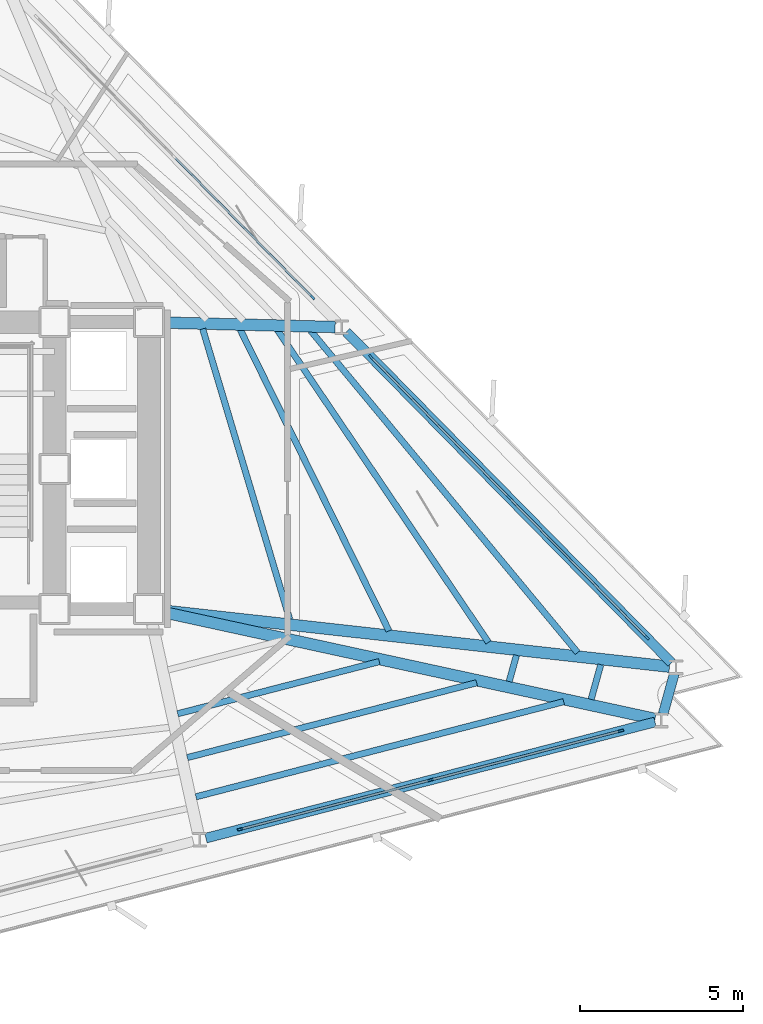
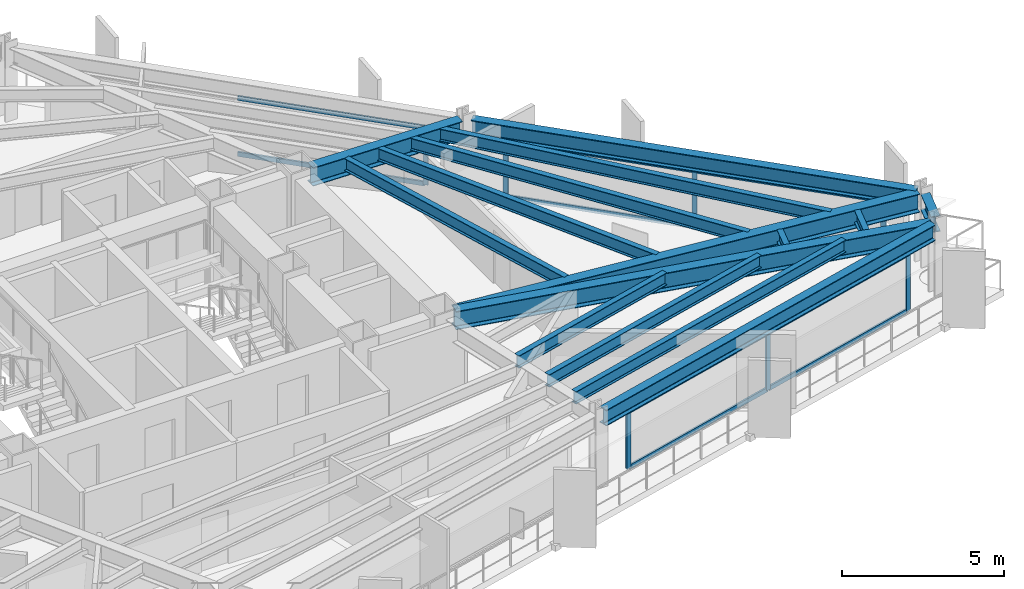
# One storey, part 4 of 11: 17 members, 15 beams, 3 elements without a shape of their own.
"""IFC4 building model written with IfcOpenShell, lengths in metres."""

from ifc_helpers import new_model, si_unit, direction, frame, origin, origin_2d, place, context, subcontext, project, spatial, rectangle, i_section, extrude, material, layer, layer_set, material_profile, profile_set, type_object, element, aggregate, save


model = new_model("IFC4")

# Units and contexts
model_context = context("Model", 3, precision=1e-05, world=origin(), true_north=direction((0.0, 1.0)))
body_context = subcontext(model_context, "Body", "Model", "MODEL_VIEW")
ifc_project = project(units=[si_unit("LENGTHUNIT", "METRE"), si_unit("AREAUNIT", "SQUARE_METRE"), si_unit("VOLUMEUNIT", "CUBIC_METRE"), si_unit("PLANEANGLEUNIT", "RADIAN"), si_unit("MASSUNIT", "GRAM", prefix="KILO")], contexts=[model_context])

# Site, building, storey
site_placement = place(None, origin())
site = spatial("IfcSite", under=ifc_project, at=site_placement, CompositionType="ELEMENT")
building_placement = place(site_placement, origin())
building = spatial("IfcBuilding", under=site, at=building_placement, Name="Rocaltana Carrier Exchange", CompositionType="ELEMENT")
storey_placement = place(building_placement, frame((0.0, 0.0, 79.52001953125)))
storey = spatial("IfcBuildingStorey", under=building, at=storey_placement, Name="L24", CompositionType="ELEMENT", Elevation=79.52001953125)

# Curtain wall, members
ifc_material_1 = material(Name="Aluminium 6063-T6", Category="aluminium")
ifc_layer = layer(ifc_material_1, 0.1650390625)
ifc_layer_set = layer_set([ifc_layer], Name="Aluminium 6063-T6")
curtain_wall_type = type_object("IfcCurtainWallType", Name="Lower-Mid Stepped Curtain Wall CW-02", PredefinedType="NOTDEFINED", material=ifc_layer_set)
curtain_wall_1_placement = place(storey_placement, origin())
curtain_wall_1 = element("IfcCurtainWall", 1, at=curtain_wall_1_placement, inside=storey, type_object=curtain_wall_type, Name="L24 CW-02 Run CW-L24-F1S1", PredefinedType="NOTDEFINED")
ifc_material_2 = material(Name="Aluminium 6063-T6", Category="aluminium")
ifc_material_profile_1 = material_profile(ifc_material_2, rectangle(XDim=0.06494140625, YDim=0.1650390625, at=origin_2d()), Name="AL-65X165")
ifc_profile_set_1 = profile_set([ifc_material_profile_1], Name="Aluminium 6063-T6")
member_type_1 = type_object("IfcMemberType", Name="CW-02 Mullion AL-65X165", PredefinedType="MULLION", material=ifc_profile_set_1)
member_1_placement = place(storey_placement, frame((24.21875, -5.1767578125, 0.0), z_axis=(0.0, 0.0, 1.0), x_axis=(-0.713244767898, -0.700915045542, 0.0)))
member_1 = element("IfcMember", 2, at=member_1_placement, type_object=member_type_1, Name="CW-02 mullion 1", PredefinedType="MULLION", context=body_context, shape_type="SweptSolid", body=[
    extrude(rectangle(XDim=0.06494140625, YDim=0.1650390625, at=origin_2d()), origin(), (0.0, 0.0, 1.0), 2.16796875),
])
member_2_placement = place(storey_placement, frame((19.989501953125, -0.872802734375, 0.0), z_axis=(0.0, 0.0, 1.0), x_axis=(-0.713244767898, -0.700915045542, 0.0)))
member_2 = element("IfcMember", 3, at=member_2_placement, type_object=member_type_1, Name="CW-02 mullion 2", PredefinedType="MULLION", context=body_context, shape_type="SweptSolid", body=[
    extrude(rectangle(XDim=0.06494140625, YDim=0.1650390625, at=origin_2d()), origin(), (0.0, 0.0, 1.0), 2.16796875),
])
member_3_placement = place(storey_placement, frame((15.760009765625, 3.430908203125, 0.0), z_axis=(0.0, 0.0, 1.0), x_axis=(-0.713244767898, -0.700915045542, 0.0)))
member_3 = element("IfcMember", 4, at=member_3_placement, type_object=member_type_1, Name="CW-02 mullion 3", PredefinedType="MULLION", context=body_context, shape_type="SweptSolid", body=[
    extrude(rectangle(XDim=0.06494140625, YDim=0.1650390625, at=origin_2d()), origin(), (0.0, 0.0, 1.0), 2.16796875),
])

# Curtain wall, member
curtain_wall_2_placement = place(storey_placement, origin())
curtain_wall_2 = element("IfcCurtainWall", 5, at=curtain_wall_2_placement, inside=storey, type_object=curtain_wall_type, Name="L24 CW-02 Run CW-L24-F1S2", PredefinedType="NOTDEFINED")
member_4_placement = place(storey_placement, frame((13.962158203125, 5.260498046875, 0.0), z_axis=(0.0, 0.0, 1.0), x_axis=(-0.713244696676, -0.700915118017, 0.0)))
member_4 = element("IfcMember", 6, at=member_4_placement, type_object=member_type_1, Name="CW-02 mullion 1", PredefinedType="MULLION", context=body_context, shape_type="SweptSolid", body=[
    extrude(rectangle(XDim=0.06494140625, YDim=0.1650390625, at=origin_2d()), origin(), (0.0, 0.0, 1.0), 2.16796875),
])

# Curtain wall, members
curtain_wall_3_placement = place(storey_placement, origin())
curtain_wall_3 = element("IfcCurtainWall", 7, at=curtain_wall_3_placement, inside=storey, type_object=curtain_wall_type, Name="L24 CW-02 Run CW-L24-F3S3", PredefinedType="NOTDEFINED")
member_5_placement = place(storey_placement, frame((11.741943359375, -11.057861328125, 0.0), z_axis=(0.0, 0.0, 1.0), x_axis=(-0.250370035526, 0.96815021836, 0.0)))
member_5 = element("IfcMember", 8, at=member_5_placement, type_object=member_type_1, Name="CW-02 mullion 1", PredefinedType="MULLION", context=body_context, shape_type="SweptSolid", body=[
    extrude(rectangle(XDim=0.06494140625, YDim=0.1650390625, at=origin_2d()), origin(), (0.0, 0.0, 1.0), 2.16796875),
])
member_6_placement = place(storey_placement, frame((17.583740234375, -9.547119140625, 0.0), z_axis=(0.0, 0.0, 1.0), x_axis=(-0.250370035526, 0.96815021836, 0.0)))
member_6 = element("IfcMember", 9, at=member_6_placement, type_object=member_type_1, Name="CW-02 mullion 2", PredefinedType="MULLION", context=body_context, shape_type="SweptSolid", body=[
    extrude(rectangle(XDim=0.06494140625, YDim=0.1650390625, at=origin_2d()), origin(), (0.0, 0.0, 1.0), 2.16796875),
])
member_7_placement = place(storey_placement, frame((23.42578125, -8.036376953125, 0.0), z_axis=(0.0, 0.0, 1.0), x_axis=(-0.250370035526, 0.96815021836, 0.0)))
member_7 = element("IfcMember", 10, at=member_7_placement, type_object=member_type_1, Name="CW-02 mullion 3", PredefinedType="MULLION", context=body_context, shape_type="SweptSolid", body=[
    extrude(rectangle(XDim=0.06494140625, YDim=0.1650390625, at=origin_2d()), origin(), (0.0, 0.0, 1.0), 2.16796875),
])

# Member
ifc_material_3 = material(Name="Aluminium 6063-T6", Category="aluminium")
ifc_material_profile_2 = material_profile(ifc_material_3, rectangle(XDim=0.06494140625, YDim=0.1650390625, at=origin_2d()), Name="AL-65X165")
ifc_profile_set_2 = profile_set([ifc_material_profile_2], Name="Aluminium 6063-T6")
member_type_2 = type_object("IfcMemberType", Name="CW-02 Transom AL-65X165", PredefinedType="USERDEFINED", material=ifc_profile_set_2)
member_8_placement = place(storey_placement, frame((24.196044921875, -5.153564453125, 0.032470703125), z_axis=(-0.700903905011, 0.713255715673, 0.0), x_axis=(-0.713255715673, -0.700903905011, 0.0)))
member_8 = element("IfcMember", 11, at=member_8_placement, type_object=member_type_2, Name="CW-02 transom 1.1", ObjectType="TRANSOM", PredefinedType="USERDEFINED", context=body_context, shape_type="SweptSolid", body=[
    extrude(rectangle(XDim=0.06494140625, YDim=0.1650390625, at=origin_2d()), origin(), (0.0, 0.0, 1.0), 5.96923828125),
])

member_9_placement = place(storey_placement, frame((24.196044921875, -5.153564453125, 2.135498046875), z_axis=(-0.700903905011, 0.713255715673, 0.0), x_axis=(-0.713255715673, -0.700903905011, 0.0)))
member_9 = element("IfcMember", 12, at=member_9_placement, type_object=member_type_2, Name="CW-02 transom 1.2", ObjectType="TRANSOM", PredefinedType="USERDEFINED", context=body_context, shape_type="SweptSolid", body=[
    extrude(rectangle(XDim=0.06494140625, YDim=0.1650390625, at=origin_2d()), origin(), (0.0, 0.0, 1.0), 5.96923828125),
])

member_10_placement = place(storey_placement, frame((19.966552734375, -0.849609375, 0.032470703125), z_axis=(-0.700924352217, 0.713235621985, 0.0), x_axis=(-0.713235621985, -0.700924352217, 0.0)))
member_10 = element("IfcMember", 13, at=member_10_placement, type_object=member_type_2, Name="CW-02 transom 2.1", ObjectType="TRANSOM", PredefinedType="USERDEFINED", context=body_context, shape_type="SweptSolid", body=[
    extrude(rectangle(XDim=0.06494140625, YDim=0.1650390625, at=origin_2d()), origin(), (0.0, 0.0, 1.0), 5.968994140625),
])

member_11_placement = place(storey_placement, frame((19.966552734375, -0.849609375, 2.135498046875), z_axis=(-0.700924352217, 0.713235621985, 0.0), x_axis=(-0.713235621985, -0.700924352217, 0.0)))
member_11 = element("IfcMember", 14, at=member_11_placement, type_object=member_type_2, Name="CW-02 transom 2.2", ObjectType="TRANSOM", PredefinedType="USERDEFINED", context=body_context, shape_type="SweptSolid", body=[
    extrude(rectangle(XDim=0.06494140625, YDim=0.1650390625, at=origin_2d()), origin(), (0.0, 0.0, 1.0), 5.968994140625),
])

aggregate(curtain_wall_1, [member_1, member_2, member_3, member_8, member_9, member_10, member_11])

member_12_placement = place(storey_placement, frame((13.939453125, 5.28369140625, 0.032470703125), z_axis=(-0.700903905011, 0.713255715673, 0.0), x_axis=(-0.713255715673, -0.700903905011, 0.0)))
member_12 = element("IfcMember", 15, at=member_12_placement, type_object=member_type_2, Name="CW-02 transom 1.1", ObjectType="TRANSOM", PredefinedType="USERDEFINED", context=body_context, shape_type="SweptSolid", body=[
    extrude(rectangle(XDim=0.06494140625, YDim=0.1650390625, at=origin_2d()), origin(), (0.0, 0.0, 1.0), 5.96923828125),
])

member_13_placement = place(storey_placement, frame((13.939453125, 5.28369140625, 2.135498046875), z_axis=(-0.700903905011, 0.713255715673, 0.0), x_axis=(-0.713255715673, -0.700903905011, 0.0)))
member_13 = element("IfcMember", 16, at=member_13_placement, type_object=member_type_2, Name="CW-02 transom 1.2", ObjectType="TRANSOM", PredefinedType="USERDEFINED", context=body_context, shape_type="SweptSolid", body=[
    extrude(rectangle(XDim=0.06494140625, YDim=0.1650390625, at=origin_2d()), origin(), (0.0, 0.0, 1.0), 5.96923828125),
])

aggregate(curtain_wall_2, [member_4, member_12, member_13])

member_14_placement = place(storey_placement, frame((11.7734375, -11.0498046875, 0.032470703125), z_axis=(0.968142466864, 0.250400007695, 0.0), x_axis=(-0.250400007695, 0.968142466864, 0.0)))
member_14 = element("IfcMember", 17, at=member_14_placement, type_object=member_type_2, Name="CW-02 transom 1.1", ObjectType="TRANSOM", PredefinedType="USERDEFINED", context=body_context, shape_type="SweptSolid", body=[
    extrude(rectangle(XDim=0.06494140625, YDim=0.1650390625, at=origin_2d()), origin(), (0.0, 0.0, 1.0), 5.968994140625),
])

member_15_placement = place(storey_placement, frame((11.7734375, -11.0498046875, 2.135498046875), z_axis=(0.968142466864, 0.250400007695, 0.0), x_axis=(-0.250400007695, 0.968142466864, 0.0)))
member_15 = element("IfcMember", 18, at=member_15_placement, type_object=member_type_2, Name="CW-02 transom 1.2", ObjectType="TRANSOM", PredefinedType="USERDEFINED", context=body_context, shape_type="SweptSolid", body=[
    extrude(rectangle(XDim=0.06494140625, YDim=0.1650390625, at=origin_2d()), origin(), (0.0, 0.0, 1.0), 5.968994140625),
])

member_16_placement = place(storey_placement, frame((17.615234375, -9.5390625, 0.032470703125), z_axis=(0.968145031253, 0.250390092575, 0.0), x_axis=(-0.250390092575, 0.968145031253, 0.0)))
member_16 = element("IfcMember", 19, at=member_16_placement, type_object=member_type_2, Name="CW-02 transom 2.1", ObjectType="TRANSOM", PredefinedType="USERDEFINED", context=body_context, shape_type="SweptSolid", body=[
    extrude(rectangle(XDim=0.06494140625, YDim=0.1650390625, at=origin_2d()), origin(), (0.0, 0.0, 1.0), 5.96923828125),
])

member_17_placement = place(storey_placement, frame((17.615234375, -9.5390625, 2.135498046875), z_axis=(0.968145031253, 0.250390092575, 0.0), x_axis=(-0.250390092575, 0.968145031253, 0.0)))
member_17 = element("IfcMember", 20, at=member_17_placement, type_object=member_type_2, Name="CW-02 transom 2.2", ObjectType="TRANSOM", PredefinedType="USERDEFINED", context=body_context, shape_type="SweptSolid", body=[
    extrude(rectangle(XDim=0.06494140625, YDim=0.1650390625, at=origin_2d()), origin(), (0.0, 0.0, 1.0), 5.96923828125),
])

aggregate(curtain_wall_3, [member_5, member_6, member_7, member_14, member_15, member_16, member_17])

# Beams
ifc_material_4 = material(Name="Steel S355", Category="steel")
ifc_material_profile_3 = material_profile(ifc_material_4, i_section(OverallWidth=0.193115234375, OverallDepth=0.466064453125, WebThickness=0.011474609375, FlangeThickness=0.01904296875, FilletRadius=0.013916015625, at=origin_2d()), Name="W18X65")
ifc_profile_set_3 = profile_set([ifc_material_profile_3], Name="Steel S355")
beam_type_1 = type_object("IfcBeamType", Name="Floor Joist W18X65", PredefinedType="JOIST", material=ifc_profile_set_3)
beam_1_placement = place(storey_placement, frame((13.26611328125, -4.619384765625, 2.554931640625), z_axis=(-0.287034949518, 0.95792011032, 0.0), x_axis=(-0.95792011032, -0.287034949518, 0.0)))
element("IfcBeam", 21, at=beam_1_placement, inside=storey, type_object=beam_type_1, Name="FJ-L24-01-1", PredefinedType="JOIST", context=body_context, shape_type="SweptSolid", body=[
    extrude(i_section(OverallWidth=0.193115234375, OverallDepth=0.466064453125, WebThickness=0.011474609375, FlangeThickness=0.01904296875, FilletRadius=0.013916015625, at=origin_2d()), origin(), (0.0, 0.0, 1.0), 9.30517578125),
])
beam_2_placement = place(storey_placement, frame((16.311279296875, -4.97021484375, 2.554931640625), z_axis=(-0.442813915887, 0.89661353765, 0.0), x_axis=(-0.89661353765, -0.442813915887, 0.0)))
element("IfcBeam", 22, at=beam_2_placement, inside=storey, type_object=beam_type_1, Name="FJ-L24-01-2", PredefinedType="JOIST", context=body_context, shape_type="SweptSolid", body=[
    extrude(i_section(OverallWidth=0.193115234375, OverallDepth=0.466064453125, WebThickness=0.011474609375, FlangeThickness=0.01904296875, FilletRadius=0.013916015625, at=origin_2d()), origin(), (0.0, 0.0, 1.0), 10.311767578125),
])
beam_3_placement = place(storey_placement, frame((19.363037109375, -5.322509765625, 2.554931640625), z_axis=(-0.55996593104, 0.828515634177, 0.0), x_axis=(-0.828515634177, -0.55996593104, 0.0)))
element("IfcBeam", 23, at=beam_3_placement, inside=storey, type_object=beam_type_1, Name="FJ-L24-01-3", PredefinedType="JOIST", context=body_context, shape_type="SweptSolid", body=[
    extrude(i_section(OverallWidth=0.193115234375, OverallDepth=0.466064453125, WebThickness=0.011474609375, FlangeThickness=0.01904296875, FilletRadius=0.013916015625, at=origin_2d()), origin(), (0.0, 0.0, 1.0), 11.56298828125),
])
beam_4_placement = place(storey_placement, frame((22.097900390625, -5.636962890625, 2.554931640625), z_axis=(-0.638314973765, 0.769775288164, 0.0), x_axis=(-0.769775288164, -0.638314973765, 0.0)))
element("IfcBeam", 24, at=beam_4_placement, inside=storey, type_object=beam_type_1, Name="FJ-L24-01-4", PredefinedType="JOIST", context=body_context, shape_type="SweptSolid", body=[
    extrude(i_section(OverallWidth=0.193115234375, OverallDepth=0.466064453125, WebThickness=0.011474609375, FlangeThickness=0.01904296875, FilletRadius=0.013916015625, at=origin_2d()), origin(), (0.0, 0.0, 1.0), 12.832763671875),
])
beam_5_placement = place(storey_placement, frame((9.8291015625, -7.513427734375, 2.554931640625), z_axis=(0.968143557315, 0.250395791558, 0.0), x_axis=(-0.250395791558, 0.968143557315, 0.0)))
element("IfcBeam", 25, at=beam_5_placement, inside=storey, type_object=beam_type_1, Name="FJ-L24-11-2", PredefinedType="JOIST", context=body_context, shape_type="SweptSolid", body=[
    extrude(i_section(OverallWidth=0.193115234375, OverallDepth=0.466064453125, WebThickness=0.011474609375, FlangeThickness=0.01904296875, FilletRadius=0.013916015625, at=origin_2d()), origin(), (0.0, 0.0, 1.0), 6.388427734375),
])
beam_6_placement = place(storey_placement, frame((10.123779296875, -8.8583984375, 2.554931640625), z_axis=(0.968146466447, 0.250384543264, 0.0), x_axis=(-0.250384543264, 0.968146466447, 0.0)))
element("IfcBeam", 26, at=beam_6_placement, inside=storey, type_object=beam_type_1, Name="FJ-L24-11-3", PredefinedType="JOIST", context=body_context, shape_type="SweptSolid", body=[
    extrude(i_section(OverallWidth=0.193115234375, OverallDepth=0.466064453125, WebThickness=0.011474609375, FlangeThickness=0.01904296875, FilletRadius=0.013916015625, at=origin_2d()), origin(), (0.0, 0.0, 1.0), 9.16845703125),
])
beam_7_placement = place(storey_placement, frame((10.38720703125, -10.061767578125, 2.554931640625), z_axis=(0.968148049608, 0.250378421674, 0.0), x_axis=(-0.250378421674, 0.968148049608, 0.0)))
element("IfcBeam", 27, at=beam_7_placement, inside=storey, type_object=beam_type_1, Name="FJ-L24-11-4", PredefinedType="JOIST", context=body_context, shape_type="SweptSolid", body=[
    extrude(i_section(OverallWidth=0.193115234375, OverallDepth=0.466064453125, WebThickness=0.011474609375, FlangeThickness=0.01904296875, FilletRadius=0.013916015625, at=origin_2d()), origin(), (0.0, 0.0, 1.0), 11.65625),
])
beam_8_placement = place(storey_placement, frame((19.998046875, -6.525390625, 2.554931640625), z_axis=(0.267312721501, 0.96360983231, 0.0), x_axis=(-0.96360983231, 0.267312721501, 0.0)))
element("IfcBeam", 28, at=beam_8_placement, inside=storey, type_object=beam_type_1, Name="FJ-L24-12-3", PredefinedType="JOIST", context=body_context, shape_type="SweptSolid", body=[
    extrude(i_section(OverallWidth=0.193115234375, OverallDepth=0.466064453125, WebThickness=0.011474609375, FlangeThickness=0.01904296875, FilletRadius=0.013916015625, at=origin_2d()), origin(), (0.0, 0.0, 1.0), 0.836669921875),
])
beam_9_placement = place(storey_placement, frame((22.5126953125, -7.07177734375, 2.554931640625), z_axis=(0.267336435307, 0.963603253605, 0.0), x_axis=(-0.963603253605, 0.267336435307, 0.0)))
element("IfcBeam", 29, at=beam_9_placement, inside=storey, type_object=beam_type_1, Name="FJ-L24-12-4", PredefinedType="JOIST", context=body_context, shape_type="SweptSolid", body=[
    extrude(i_section(OverallWidth=0.193115234375, OverallDepth=0.466064453125, WebThickness=0.011474609375, FlangeThickness=0.01904296875, FilletRadius=0.013916015625, at=origin_2d()), origin(), (0.0, 0.0, 1.0), 1.10595703125),
])
ifc_material_5 = material(Name="Steel S355", Category="steel")
ifc_material_profile_4 = material_profile(ifc_material_5, i_section(OverallWidth=0.35498046875, OverallDepth=0.695068359375, WebThickness=0.015380859375, FlangeThickness=0.02490234375, FilletRadius=0.01806640625, at=origin_2d()), Name="W27X146")
ifc_profile_set_4 = profile_set([ifc_material_profile_4], Name="Steel S355")
beam_type_2 = type_object("IfcBeamType", Name="Radial Girder W27X146", PredefinedType="BEAM", material=ifc_profile_set_4)
beam_10_placement = place(storey_placement, frame((9.414306640625, -4.351318359375, 2.4404296875), z_axis=(0.993916139966, -0.110139487535, 0.0), x_axis=(0.110139487535, 0.993916139966, 0.0)))
element("IfcBeam", 30, at=beam_10_placement, inside=storey, type_object=beam_type_2, Name="RG-L24-01", PredefinedType="BEAM", context=body_context, shape_type="SweptSolid", body=[
    extrude(i_section(OverallWidth=0.35498046875, OverallDepth=0.695068359375, WebThickness=0.015380859375, FlangeThickness=0.02490234375, FilletRadius=0.01806640625, at=origin_2d()), origin(), (0.0, 0.0, 1.0), 15.5986328125),
])
beam_11_placement = place(storey_placement, frame((9.416748046875, 4.48779296875, 2.4404296875), z_axis=(0.99965902203, -0.026112059941, 0.0), x_axis=(0.026112059941, 0.99965902203, 0.0)))
element("IfcBeam", 31, at=beam_11_placement, inside=storey, type_object=beam_type_2, Name="RG-L24-02", PredefinedType="BEAM", context=body_context, shape_type="SweptSolid", body=[
    extrude(i_section(OverallWidth=0.35498046875, OverallDepth=0.695068359375, WebThickness=0.015380859375, FlangeThickness=0.02490234375, FilletRadius=0.01806640625, at=origin_2d()), origin(), (0.0, 0.0, 1.0), 5.2451171875),
])
beam_12_placement = place(storey_placement, frame((9.406494140625, -4.399169921875, 2.4404296875), z_axis=(0.977195798541, -0.21234022538, 0.0), x_axis=(0.21234022538, 0.977195798541, 0.0)))
element("IfcBeam", 32, at=beam_12_placement, inside=storey, type_object=beam_type_2, Name="RG-L24-12", PredefinedType="BEAM", context=body_context, shape_type="SweptSolid", body=[
    extrude(i_section(OverallWidth=0.35498046875, OverallDepth=0.695068359375, WebThickness=0.015380859375, FlangeThickness=0.02490234375, FilletRadius=0.01806640625, at=origin_2d()), origin(), (0.0, 0.0, 1.0), 15.416015625),
])
ifc_material_6 = material(Name="Steel S355", Category="steel")
ifc_material_profile_5 = material_profile(ifc_material_6, i_section(OverallWidth=0.300048828125, OverallDepth=0.60009765625, WebThickness=0.015380859375, FlangeThickness=0.030029296875, FilletRadius=0.027099609375, at=origin_2d()), Name="HEB600")
ifc_profile_set_5 = profile_set([ifc_material_profile_5], Name="Steel S355")
beam_type_3 = type_object("IfcBeamType", Name="Spandrel Edge Beam HEB600", PredefinedType="SPANDREL", material=ifc_profile_set_5)
beam_13_placement = place(storey_placement, frame((24.976806640625, -5.947998046875, 2.488037109375), z_axis=(-0.700912568361, 0.713247202247, 0.0), x_axis=(-0.713247202247, -0.700912568361, 0.0)))
element("IfcBeam", 33, at=beam_13_placement, inside=storey, type_object=beam_type_3, Name="SP-L24-01", PredefinedType="SPANDREL", context=body_context, shape_type="SweptSolid", body=[
    extrude(i_section(OverallWidth=0.300048828125, OverallDepth=0.60009765625, WebThickness=0.015380859375, FlangeThickness=0.030029296875, FilletRadius=0.027099609375, at=origin_2d()), origin(), (0.0, 0.0, 1.0), 14.231201171875),
])
beam_14_placement = place(storey_placement, frame((10.69482421875, -11.32861328125, 2.488037109375), z_axis=(0.968147987083, 0.250378663444, 0.0), x_axis=(-0.250378663444, 0.968147987083, 0.0)))
element("IfcBeam", 34, at=beam_14_placement, inside=storey, type_object=beam_type_3, Name="SP-L24-11", PredefinedType="SPANDREL", context=body_context, shape_type="SweptSolid", body=[
    extrude(i_section(OverallWidth=0.300048828125, OverallDepth=0.60009765625, WebThickness=0.015380859375, FlangeThickness=0.030029296875, FilletRadius=0.027099609375, at=origin_2d()), origin(), (0.0, 0.0, 1.0), 14.2314453125),
])
beam_15_placement = place(storey_placement, frame((24.72119140625, -7.521484375, 2.488037109375), z_axis=(0.267172731541, 0.963648655642, 0.0), x_axis=(-0.963648655642, 0.267172731541, 0.0)))
element("IfcBeam", 35, at=beam_15_placement, inside=storey, type_object=beam_type_3, Name="SP-L24-12", PredefinedType="SPANDREL", context=body_context, shape_type="SweptSolid", body=[
    extrude(i_section(OverallWidth=0.300048828125, OverallDepth=0.60009765625, WebThickness=0.015380859375, FlangeThickness=0.030029296875, FilletRadius=0.027099609375, at=origin_2d()), origin(), (0.0, 0.0, 1.0), 1.282958984375),
])

save(model, "model.ifc")
